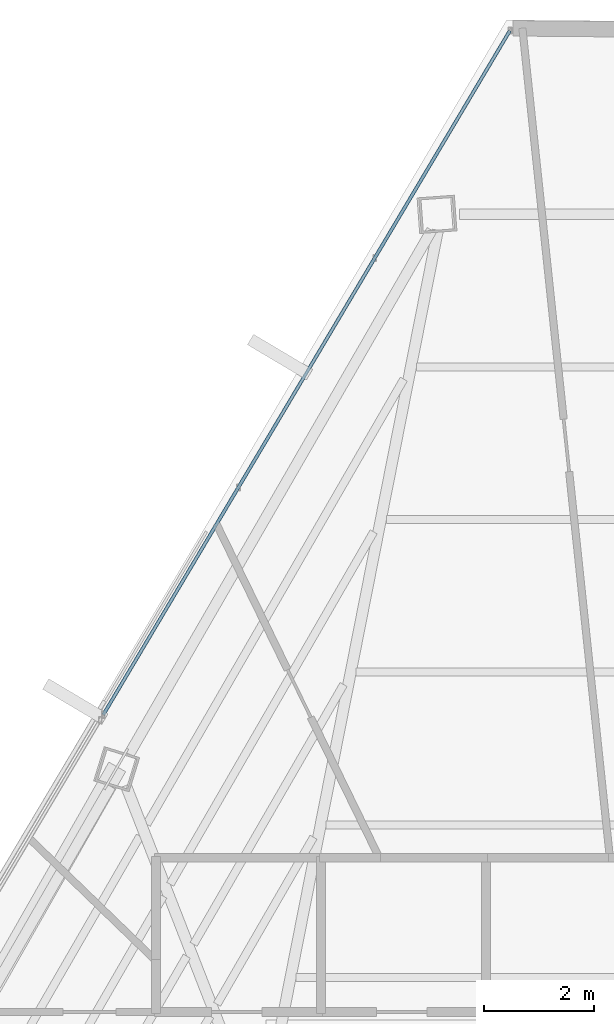
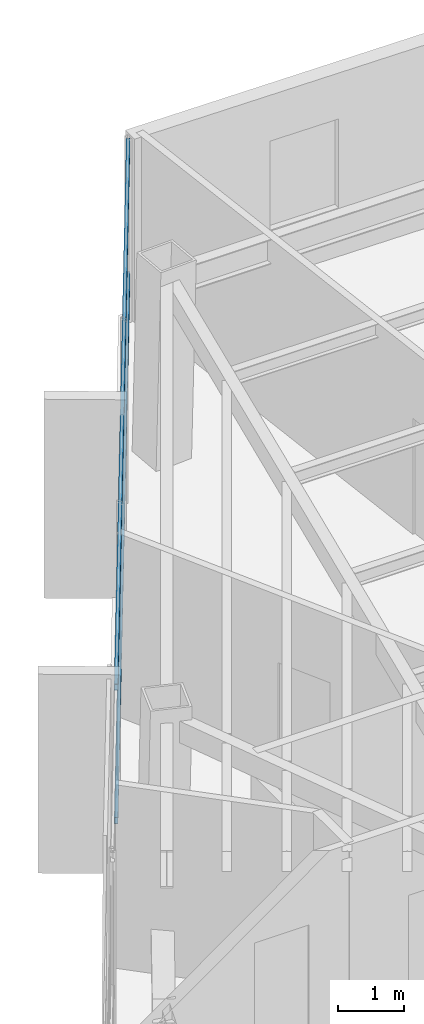
# One storey, part 32 of 46: 2 members, 1 element without a shape of its own.
"""IFC4 building model written with IfcOpenShell, lengths in metres."""

from ifc_helpers import new_model, si_unit, direction, frame, origin, origin_2d, place, context, subcontext, project, spatial, hollow_rectangle, extrude, source, transform, mapped, material, material_profile, profile_set, type_object, type_shapes, element, aggregate, save


model = new_model("IFC4")

# Units and contexts
model_context = context("Model", 3, precision=1e-05, world=origin(), true_north=direction((0.0, 1.0)))
body_context = subcontext(model_context, "Body", "Model", "MODEL_VIEW")
ifc_project = project(units=[si_unit("LENGTHUNIT", "METRE"), si_unit("AREAUNIT", "SQUARE_METRE"), si_unit("VOLUMEUNIT", "CUBIC_METRE"), si_unit("PLANEANGLEUNIT", "RADIAN"), si_unit("MASSUNIT", "GRAM", prefix="KILO")], contexts=[model_context])

# Site, building, storey
site_placement = place(None, origin())
site = spatial("IfcSite", under=ifc_project, at=site_placement, CompositionType="ELEMENT")
building_placement = place(site_placement, origin())
building = spatial("IfcBuilding", under=site, at=building_placement, Name="Caelisora Broadcast Tower", CompositionType="ELEMENT")
storey_placement = place(building_placement, frame((0.0, 0.0, 237.14990234375)))
storey = spatial("IfcBuildingStorey", under=building, at=storey_placement, Name="L62", CompositionType="ELEMENT", Elevation=237.14990234375)

# Curtain wall, members
ifc_material_1 = material(Name="Unitised Aluminium and Low-E Glass Curtain Wall", Category="glass")
curtain_wall_type = type_object("IfcCurtainWallType", Name="CW-Z5", PredefinedType="NOTDEFINED", material=ifc_material_1)
curtain_wall_placement = place(storey_placement, origin())
curtain_wall = element("IfcCurtainWall", 1, at=curtain_wall_placement, inside=storey, type_object=curtain_wall_type, Name="L62 curtain wall CW-Z5", PredefinedType="NOTDEFINED")
ifc_material_2 = material(Name="Aluminium 6063-T6 Anodised Terracotta Bronze", Category="aluminium")
ifc_material_profile = material_profile(ifc_material_2, hollow_rectangle(XDim=0.06005859375, YDim=0.1201171875, WallThickness=0.0029296875, at=origin_2d()), Name="Aluminium 6063-T6 Anodised Terracotta Bronze")
ifc_profile_set = profile_set([ifc_material_profile], Name="Aluminium 6063-T6 Anodised Terracotta Bronze")
member_type = type_object("IfcMemberType", Name="CWT-03", PredefinedType="USERDEFINED", material=ifc_profile_set)
shared_shape = source(origin(), body_context, "Body", "SweptSolid", [
    extrude(hollow_rectangle(XDim=0.06005859375, YDim=0.1201171875, WallThickness=0.0029296875, at=origin_2d()), origin(), (0.0, 0.0, 1.0), 14.45947265625),
])
type_shapes(member_type, [shared_shape])
member_1_placement = place(storey_placement, frame((27.64453125, 37.55029296875, 0.85009765625), z_axis=(0.510938170039, 0.859617465154, 0.0), x_axis=(-0.859617465154, 0.510938170039, 0.0)))
member_1 = element("IfcMember", 2, at=member_1_placement, type_object=member_type, Name="L62-CW-B11 transom #1", ObjectType="TRANSOM", PredefinedType="USERDEFINED", context=body_context, shape_type="MappedRepresentation", body=[
    mapped(shared_shape, transform((0.0, 0.0, 0.0), scale=1.0)),
])
member_2_placement = place(storey_placement, frame((27.64453125, 37.55029296875, 3.320068359375), z_axis=(0.510938170039, 0.859617465154, 0.0), x_axis=(-0.859617465154, 0.510938170039, 0.0)))
member_2 = element("IfcMember", 3, at=member_2_placement, type_object=member_type, Name="L62-CW-B11 transom #2", ObjectType="TRANSOM", PredefinedType="USERDEFINED", context=body_context, shape_type="MappedRepresentation", body=[
    mapped(shared_shape, transform((0.0, 0.0, 0.0), scale=1.0)),
])
aggregate(curtain_wall, [member_1, member_2])

save(model, "model.ifc")
